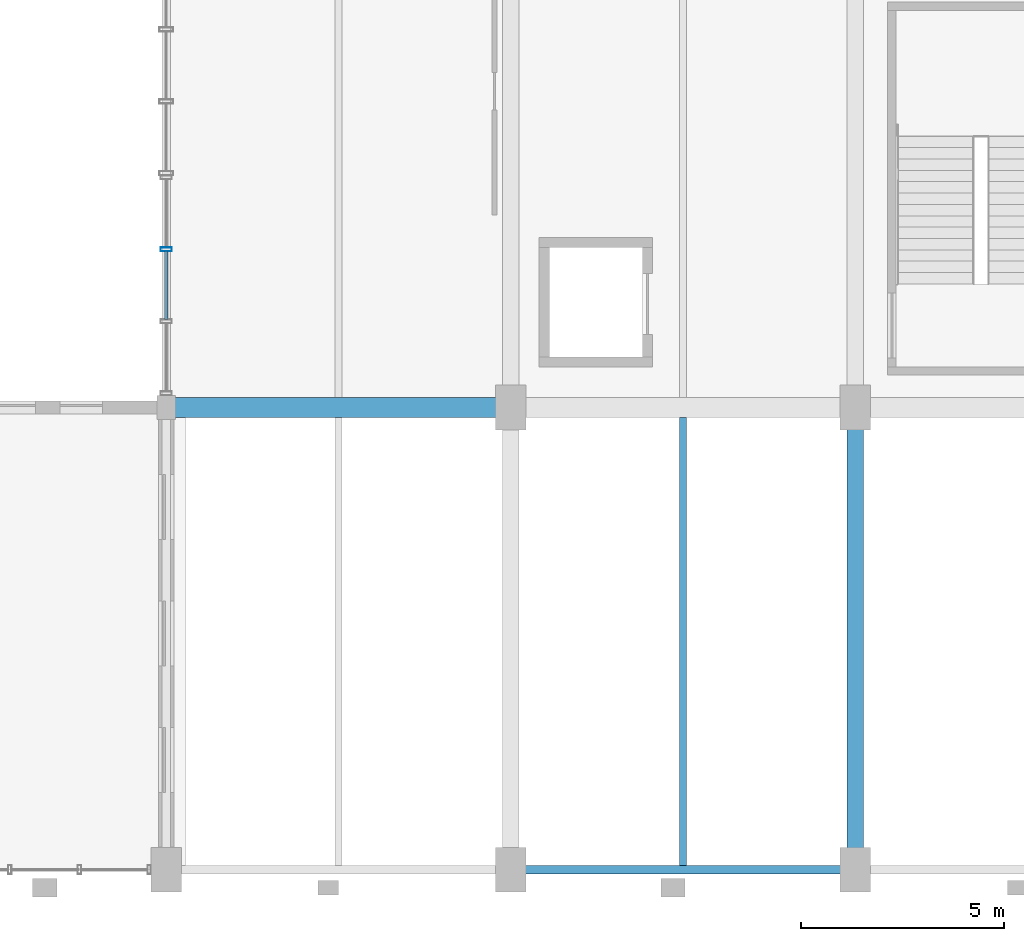
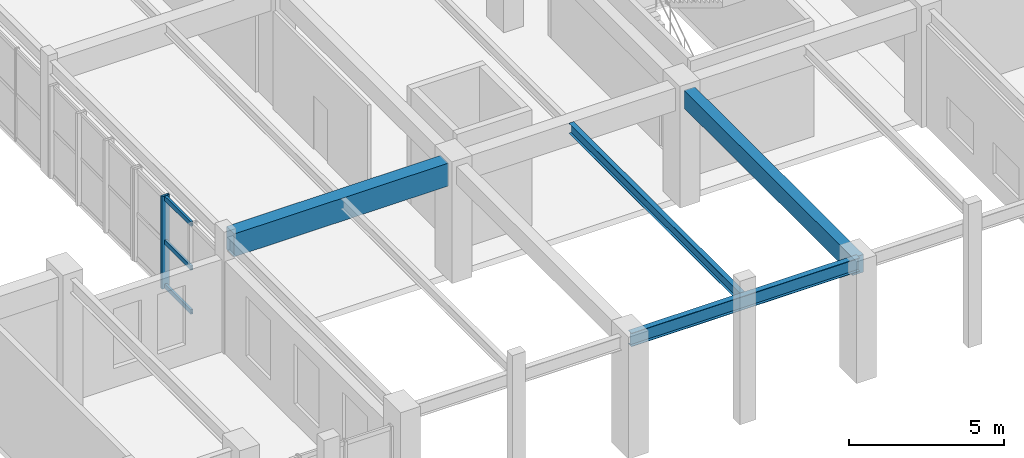
# One storey, part 35 of 106: 4 beams, 4 members, 1 element without a shape of its own.
"""IFC4 building model written with IfcOpenShell, lengths in metres."""

from ifc_helpers import new_model, si_unit, direction, frame, origin, origin_2d, place, context, subcontext, project, spatial, rectangle, hollow_rectangle, i_section, extrude, material, layer, layer_set, material_profile, profile_set, type_object, element, aggregate, save


model = new_model("IFC4")

# Units and contexts
model_context = context("Model", 3, precision=1e-05, world=origin(), true_north=direction((0.0, 1.0)))
body_context = subcontext(model_context, "Body", "Model", "MODEL_VIEW")
ifc_project = project(units=[si_unit("LENGTHUNIT", "METRE"), si_unit("AREAUNIT", "SQUARE_METRE"), si_unit("VOLUMEUNIT", "CUBIC_METRE"), si_unit("PLANEANGLEUNIT", "RADIAN"), si_unit("MASSUNIT", "GRAM", prefix="KILO"), si_unit("POWERUNIT", "WATT"), si_unit("THERMODYNAMICTEMPERATUREUNIT", "KELVIN")], contexts=[model_context])

# Site, building, storey
site_placement = place(None, origin())
site = spatial("IfcSite", under=ifc_project, at=site_placement, CompositionType="ELEMENT")
building_placement = place(site_placement, origin())
building = spatial("IfcBuilding", under=site, at=building_placement, Name="Kelmbourne Parkland Aquatics Centre", CompositionType="ELEMENT")
storey_placement = place(building_placement, frame((0.0, 0.0, 5.39990234375)))
storey = spatial("IfcBuildingStorey", under=building, at=storey_placement, Name="L01", CompositionType="ELEMENT", Elevation=5.39990234375)

# Beams
ifc_material_1 = material(Name="Concrete C40/50", Category="concrete")
ifc_material_profile_1 = material_profile(ifc_material_1, rectangle(XDim=0.5, YDim=0.89990234375, at=origin_2d()), Name="RC 500x900")
ifc_profile_set_1 = profile_set([ifc_material_profile_1], Name="Concrete C40/50")
beam_type_1 = type_object("IfcBeamType", Name="BM-G03", PredefinedType="BEAM", material=ifc_profile_set_1)
beam_1_placement = place(storey_placement, frame((102.179931640625, 12.199951171875, 4.110107421875), z_axis=(1.0, 0.0, 0.0), x_axis=(0.0, 1.0, 0.0)))
element("IfcBeam", 1, at=beam_1_placement, inside=storey, type_object=beam_type_1, Name="Primary girder M-N Grid 03 (L02)", PredefinedType="BEAM", context=body_context, shape_type="SweptSolid", body=[
    extrude(rectangle(XDim=0.5, YDim=0.89990234375, at=origin_2d()), origin(), (0.0, 0.0, 1.0), 7.989990234375),
])
ifc_material_profile_2 = material_profile(ifc_material_1, rectangle(XDim=0.39990234375, YDim=0.699951171875, at=origin_2d()), Name="RC 400x700")
ifc_profile_set_2 = profile_set([ifc_material_profile_2], Name="Concrete C40/50")
beam_type_2 = type_object("IfcBeamType", Name="BM-G05", PredefinedType="BEAM", material=ifc_profile_set_2)
beam_2_placement = place(storey_placement, frame((119.0, 0.800048828125, 4.210205078125), z_axis=(0.0, 1.0, 0.0), x_axis=(-1.0, 0.0, 0.0)))
element("IfcBeam", 2, at=beam_2_placement, inside=storey, type_object=beam_type_2, Name="Primary girder 01-03 Grid O (L02)", PredefinedType="BEAM", context=body_context, shape_type="SweptSolid", body=[
    extrude(rectangle(XDim=0.39990234375, YDim=0.699951171875, at=origin_2d()), origin(), (0.0, 0.0, 1.0), 10.89501953125),
])
ifc_material_2 = material(Name="Structural steel AS/NZS 3679.1 Grade 300", Category="steel")
ifc_material_profile_3 = material_profile(ifc_material_2, i_section(OverallWidth=0.177978515625, OverallDepth=0.406005859375, WebThickness=0.0078125, FlangeThickness=0.0126953125, at=origin_2d()), Name="410UB59.7")
ifc_profile_set_3 = profile_set([ifc_material_profile_3], Name="Structural steel AS/NZS 3679.1 Grade 300")
beam_type_3 = type_object("IfcBeamType", Name="BM-J01", PredefinedType="JOIST", material=ifc_profile_set_3)
beam_3_placement = place(storey_placement, frame((114.75, 0.896484375, 4.357177734375), z_axis=(0.0, 1.0, 0.0), x_axis=(-1.0, 0.0, 0.0)))
element("IfcBeam", 3, at=beam_3_placement, inside=storey, type_object=beam_type_3, Name="Secondary floor joist N-O/01-03 #1 (L02)", PredefinedType="JOIST", context=body_context, shape_type="SweptSolid", body=[
    extrude(i_section(OverallWidth=0.177978515625, OverallDepth=0.406005859375, WebThickness=0.0078125, FlangeThickness=0.0126953125, at=origin_2d()), origin(), (0.0, 0.0, 1.0), 11.0615234375),
])
ifc_material_profile_4 = material_profile(ifc_material_2, i_section(OverallWidth=0.208984375, OverallDepth=0.532958984375, WebThickness=0.01025390625, FlangeThickness=0.015625, at=origin_2d()), Name="530UB92.4")
ifc_profile_set_4 = profile_set([ifc_material_profile_4], Name="Structural steel AS/NZS 3679.1 Grade 300")
beam_type_4 = type_object("IfcBeamType", Name="BM-SP02", PredefinedType="SPANDREL", material=ifc_profile_set_4)
beam_4_placement = place(storey_placement, frame((110.5, 0.800048828125, 4.293701171875), z_axis=(1.0, 0.0, 0.0), x_axis=(0.0, 1.0, 0.0)))
element("IfcBeam", 4, at=beam_4_placement, inside=storey, type_object=beam_type_4, Name="Perimeter spandrel N-O Grid 01 (L02)", PredefinedType="SPANDREL", context=body_context, shape_type="SweptSolid", body=[
    extrude(i_section(OverallWidth=0.208984375, OverallDepth=0.532958984375, WebThickness=0.01025390625, FlangeThickness=0.015625, at=origin_2d()), origin(), (0.0, 0.0, 1.0), 8.5),
])

# Curtain wall, members
ifc_material_3 = material(Name="Thermally broken anodised aluminium framing", Category="aluminium")
ifc_layer = layer(ifc_material_3, 0.179931640625)
ifc_layer_set = layer_set([ifc_layer], Name="Thermally broken anodised aluminium framing")
curtain_wall_type = type_object("IfcCurtainWallType", Name="CW-20", PredefinedType="NOTDEFINED", material=ifc_layer_set)
curtain_wall_placement = place(storey_placement, origin())
curtain_wall = element("IfcCurtainWall", 5, at=curtain_wall_placement, inside=storey, type_object=curtain_wall_type, Name="Facade curtain wall CW-L01-188", PredefinedType="NOTDEFINED")
ifc_material_profile_5 = material_profile(ifc_material_3, hollow_rectangle(XDim=0.094970703125, YDim=0.280029296875, WallThickness=0.005615234375, at=origin_2d()), Name="CW-M 95x280")
ifc_profile_set_5 = profile_set([ifc_material_profile_5], Name="Thermally broken anodised aluminium framing")
member_type_1 = type_object("IfcMemberType", Name="MB-MUL-4", PredefinedType="MULLION", material=ifc_profile_set_5)
member_1_placement = place(storey_placement, frame((102.0, 16.1015625, 0.0), z_axis=(0.0, 0.0, 1.0), x_axis=(0.0, 1.0, 0.0)))
member_1 = element("IfcMember", 6, at=member_1_placement, type_object=member_type_1, Name="CW-L01-188 mullion 2", PredefinedType="MULLION", context=body_context, shape_type="SweptSolid", body=[
    extrude(hollow_rectangle(XDim=0.094970703125, YDim=0.280029296875, WallThickness=0.005615234375, at=origin_2d()), origin(), (0.0, 0.0, 1.0), 3.64501953125),
])
ifc_material_profile_6 = material_profile(ifc_material_3, hollow_rectangle(XDim=0.0849609375, YDim=0.179931640625, WallThickness=0.00439453125, at=origin_2d()), Name="CW-T 85x180")
ifc_profile_set_6 = profile_set([ifc_material_profile_6], Name="Thermally broken anodised aluminium framing")
member_type_2 = type_object("IfcMemberType", Name="MB-TRN-3", PredefinedType="USERDEFINED", material=ifc_profile_set_6)
member_2_placement = place(storey_placement, frame((102.0, 14.368896484375, 0.093017578125), z_axis=(0.0, 1.0, 0.0), x_axis=(-1.0, 0.0, 0.0)))
member_2 = element("IfcMember", 7, at=member_2_placement, type_object=member_type_2, Name="CW-L01-188 transom 0-1", ObjectType="TRANSOM", PredefinedType="USERDEFINED", context=body_context, shape_type="SweptSolid", body=[
    extrude(hollow_rectangle(XDim=0.0849609375, YDim=0.179931640625, WallThickness=0.00439453125, at=origin_2d()), origin(), (0.0, 0.0, 1.0), 1.689208984375),
])
member_3_placement = place(storey_placement, frame((102.0, 14.368896484375, 1.822509765625), z_axis=(0.0, 1.0, 0.0), x_axis=(-1.0, 0.0, 0.0)))
member_3 = element("IfcMember", 8, at=member_3_placement, type_object=member_type_2, Name="CW-L01-188 transom 1-1", ObjectType="TRANSOM", PredefinedType="USERDEFINED", context=body_context, shape_type="SweptSolid", body=[
    extrude(hollow_rectangle(XDim=0.0849609375, YDim=0.179931640625, WallThickness=0.00439453125, at=origin_2d()), origin(), (0.0, 0.0, 1.0), 1.689208984375),
])
member_4_placement = place(storey_placement, frame((102.0, 14.368896484375, 3.552001953125), z_axis=(0.0, 1.0, 0.0), x_axis=(-1.0, 0.0, 0.0)))
member_4 = element("IfcMember", 9, at=member_4_placement, type_object=member_type_2, Name="CW-L01-188 transom 2-1", ObjectType="TRANSOM", PredefinedType="USERDEFINED", context=body_context, shape_type="SweptSolid", body=[
    extrude(hollow_rectangle(XDim=0.0849609375, YDim=0.179931640625, WallThickness=0.00439453125, at=origin_2d()), origin(), (0.0, 0.0, 1.0), 1.689208984375),
])
aggregate(curtain_wall, [member_1, member_2, member_3, member_4])

save(model, "model.ifc")
